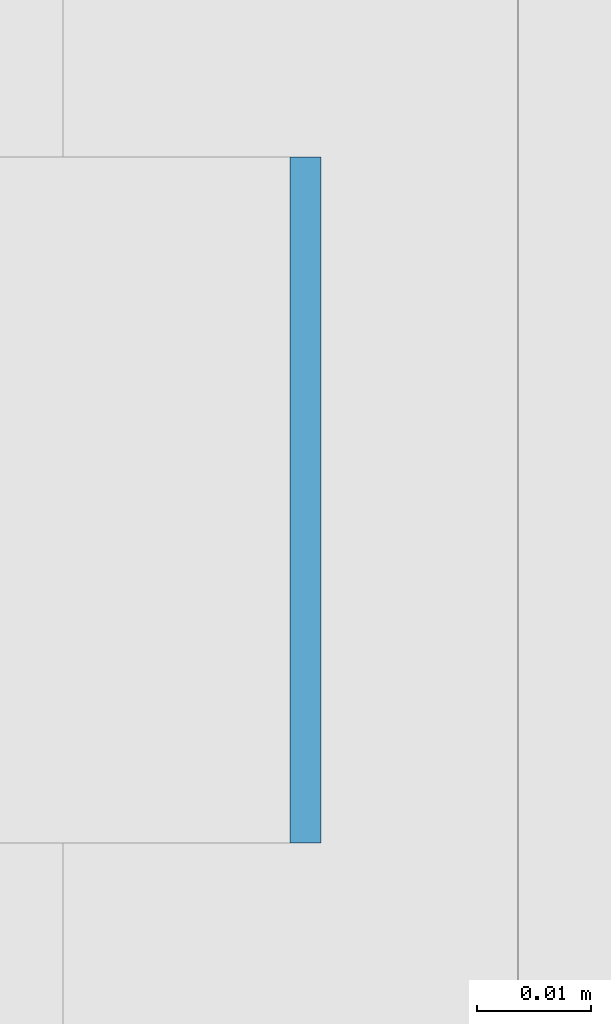
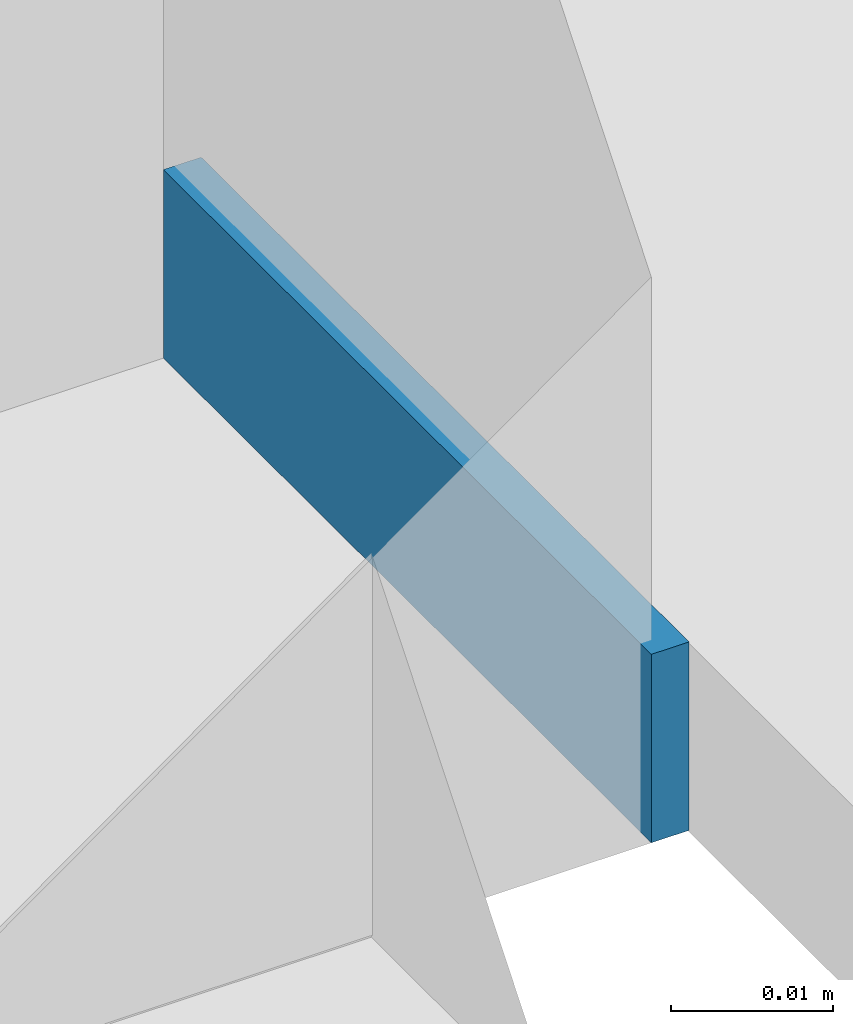
# One storey, part 320 of 646: 1 discrete accessory.
"""IFC4 building model written with IfcOpenShell, lengths in metres."""

from ifc_helpers import new_model, si_unit, direction, frame, origin, origin_2d, place, context, subcontext, project, spatial, rectangle, extrude, material, type_object, element, save


model = new_model("IFC4")

# Units and contexts
model_context = context("Model", 3, precision=1e-05, world=origin(), true_north=direction((0.0, 1.0)))
body_context = subcontext(model_context, "Body", "Model", "MODEL_VIEW")
ifc_project = project(units=[si_unit("LENGTHUNIT", "METRE"), si_unit("AREAUNIT", "SQUARE_METRE"), si_unit("VOLUMEUNIT", "CUBIC_METRE"), si_unit("PLANEANGLEUNIT", "RADIAN"), si_unit("MASSUNIT", "GRAM", prefix="KILO")], contexts=[model_context])

# Site, building, storey
site_placement = place(None, origin())
site = spatial("IfcSite", under=ifc_project, at=site_placement, CompositionType="ELEMENT")
building_placement = place(site_placement, origin())
building = spatial("IfcBuilding", under=site, at=building_placement, Name="Silverbay Arena", CompositionType="ELEMENT")
storey_placement = place(building_placement, frame((0.0, 0.0, 33.5)))
storey = spatial("IfcBuildingStorey", under=building, at=storey_placement, Name="L05", CompositionType="ELEMENT", Elevation=33.5)

# Discrete accessory
ifc_material = material(Name="Steel S355", Category="steel")
discrete_accessory_type = type_object("IfcDiscreteAccessoryType", Name="Steel bracket plate", PredefinedType="BRACKET", material=ifc_material)
discrete_accessory_placement = place(storey_placement, frame((53.871337890625, 73.28564453125, 4.0), z_axis=(0.0, 0.0, 1.0), x_axis=(1.0, 0.0, 0.0)))
element("IfcDiscreteAccessory", 1, at=discrete_accessory_placement, inside=storey, type_object=discrete_accessory_type, Name="Curtain wall packing plate", PredefinedType="BRACKET", context=body_context, shape_type="SweptSolid", body=[
    extrude(rectangle(XDim=0.002685546875, YDim=0.06005859375, at=origin_2d()), origin(), (0.0, 0.0, 1.0), 0.01416015625),
])

save(model, "model.ifc")
